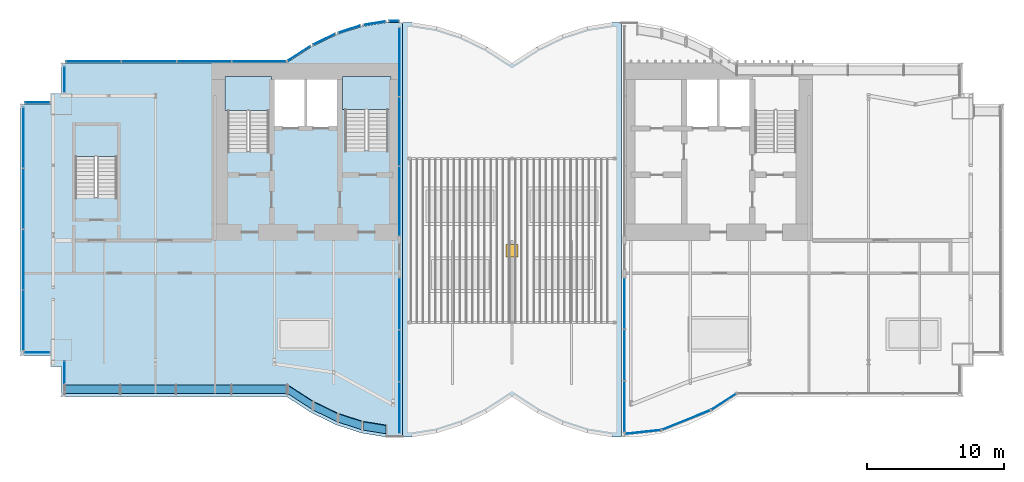
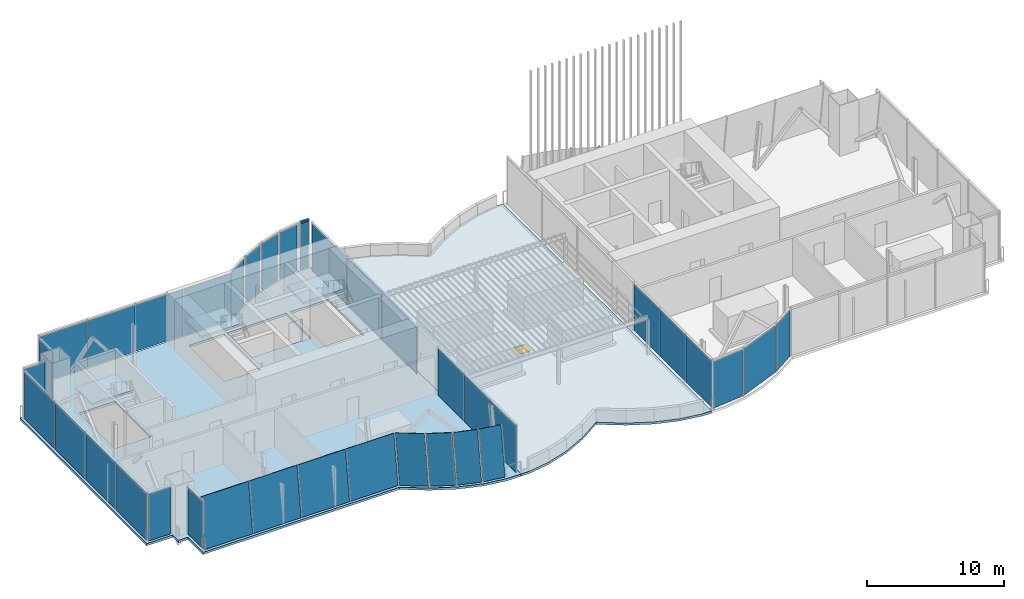
# One storey, part 10 of 18: 37 plates, 5 slabs, 1 member, 1 window, 1 opening, 23 elements without a shape of their own.
"""IFC4 building model written with IfcOpenShell, lengths in metres."""

from ifc_helpers import new_model, si_unit, direction, frame, origin, origin_2d, place, context, subcontext, project, spatial, polyline, rectangle, outline, extrude, material, layer, layer_set, material_profile, profile_set, type_object, element, fill, aggregate, save


model = new_model("IFC4")

# Units and contexts
model_context = context("Model", 3, precision=1e-05, world=origin(), true_north=direction((0.0, 1.0)))
body_context = subcontext(model_context, "Body", "Model", "MODEL_VIEW")
ifc_project = project(units=[si_unit("LENGTHUNIT", "METRE"), si_unit("AREAUNIT", "SQUARE_METRE"), si_unit("VOLUMEUNIT", "CUBIC_METRE"), si_unit("PLANEANGLEUNIT", "RADIAN"), si_unit("MASSUNIT", "GRAM", prefix="KILO")], contexts=[model_context])

# Site, building, storey
site_placement = place(None, origin())
site = spatial("IfcSite", under=ifc_project, at=site_placement, CompositionType="ELEMENT")
building_placement = place(site_placement, origin())
building = spatial("IfcBuilding", under=site, at=building_placement, Name="Bicima Exchange Tower", CompositionType="ELEMENT")
storey_placement = place(building_placement, frame((0.0, 0.0, 347.89990234375)))
storey = spatial("IfcBuildingStorey", under=building, at=storey_placement, Name="L78", CompositionType="ELEMENT", Elevation=347.89990234375)

# Curtain wall, member
ifc_material_1 = material(Name="Anodised bronze aluminium", Category="aluminium")
curtain_wall_type_1 = type_object("IfcCurtainWallType", Name="Crown glass wall", PredefinedType="NOTDEFINED", material=ifc_material_1)
curtain_wall_1_placement = place(storey_placement, origin())
curtain_wall_1 = element("IfcCurtainWall", 1, at=curtain_wall_1_placement, inside=storey, type_object=curtain_wall_type_1, Name="Crown glass wall L78 run 3", PredefinedType="NOTDEFINED")
ifc_material_profile = material_profile(ifc_material_1, rectangle(XDim=0.179931640625, YDim=0.159912109375, at=origin_2d()))
ifc_profile_set = profile_set([ifc_material_profile], Name="Anodised bronze aluminium")
member_type = type_object("IfcMemberType", Name="Crown glass wall transom 160 x 180", PredefinedType="USERDEFINED", material=ifc_profile_set)
member_placement = place(storey_placement, frame((-8.2900390625, 3.052978515625, 4.22021484375), z_axis=(-1.0, 0.0, 0.0), x_axis=(0.0, -1.0, 0.0)))
member = element("IfcMember", 2, at=member_placement, type_object=member_type, Name="Crown glass wall transom 1.1", ObjectType="TRANSOM", PredefinedType="USERDEFINED", context=body_context, shape_type="SweptSolid", body=[
    extrude(rectangle(XDim=0.179931640625, YDim=0.159912109375, at=origin_2d()), origin(), (0.0, 0.0, 1.0), 0.708251953125),
])

# Slab
ifc_material_2 = material(Name="Concrete C40/50", Category="concrete")
ifc_layer_1 = layer(ifc_material_2, 0.199951171875)
ifc_layer_set_1 = layer_set([ifc_layer_1], Name="Concrete C40/50")
slab_type_1 = type_object("IfcSlabType", Name="Composite floor slab 200", PredefinedType="FLOOR", material=ifc_layer_set_1)
slab_1_placement = place(storey_placement, frame((0.0, 0.0, -0.199951171875)))
element("IfcSlab", 3, at=slab_1_placement, inside=storey, type_object=slab_type_1, Name="Floor slab", PredefinedType="FLOOR", context=body_context, shape_type="SweptSolid", body=[
    extrude(outline(polyline([(-36.0, -21.431884765625), (-36.0, -3.0), (-33.800048828125, -3.0), (-33.800048828125, -2.199951171875), (-33.0, -2.199951171875), (-33.0, 0.0), (-16.5, 0.0), (-14.666748046875, 1.185302734375), (-12.833251953125, 2.07421875), (-11.0, 2.666748046875), (-9.166748046875, 2.962890625), (-8.0, 2.962890625), (-8.0, -27.39501953125), (-9.166748046875, -27.39501953125), (-11.0, -27.0986328125), (-12.833251953125, -26.506103515625), (-14.666748046875, -25.6171875), (-16.5, -24.431884765625), (-33.0, -24.431884765625), (-33.0, -22.23193359375), (-33.800048828125, -22.23193359375), (-33.800048828125, -21.431884765625), (-36.0, -21.431884765625)]), holes=[polyline([(-28.925048828125, -4.625), (-31.97509765625, -4.625), (-31.97509765625, -9.824951171875), (-28.925048828125, -9.824951171875), (-28.925048828125, -4.625)]), polyline([(-17.800048828125, -1.199951171875), (-20.800048828125, -1.199951171875), (-20.800048828125, -6.449951171875), (-17.800048828125, -6.449951171875), (-17.800048828125, -1.199951171875)]), polyline([(-9.074951171875, -1.199951171875), (-12.22509765625, -1.199951171875), (-12.22509765625, -6.39990234375), (-9.074951171875, -6.39990234375), (-9.074951171875, -1.199951171875)]), polyline([(-12.60009765625, -1.199951171875), (-15.10009765625, -1.199951171875), (-17.60009765625, -1.199951171875), (-17.60009765625, -4.800048828125), (-15.10009765625, -4.800048828125), (-12.60009765625, -4.800048828125), (-12.60009765625, -1.199951171875)])]), origin(), (0.0, 0.0, 1.0), 0.199951171875),
])

# Plate
ifc_material_3 = material(Name="Bronze tinted glass", Category="glass")
ifc_layer_2 = layer(ifc_material_3, 0.035888671875)
ifc_layer_set_2 = layer_set([ifc_layer_2], Name="Bronze tinted glass")
plate_type_1 = type_object("IfcPlateType", Name="Crown glass wall glass panel 36", PredefinedType="CURTAIN_PANEL", material=ifc_layer_set_2)
plate_1_placement = place(storey_placement, frame((-8.64404296875, 3.052978515625, 0.0), z_axis=(0.0, 0.0, 1.0), x_axis=(-1.0, 0.0, 0.0)))
plate_1 = element("IfcPlate", 4, at=plate_1_placement, type_object=plate_type_1, Name="Crown glass wall panel 1.1", PredefinedType="CURTAIN_PANEL", context=body_context, shape_type="SweptSolid", body=[
    extrude(rectangle(XDim=0.708251953125, YDim=0.035888671875, at=origin_2d()), origin(), (0.0, 0.0, 1.0), 4.139892578125),
])

aggregate(curtain_wall_1, [member, plate_1])

# Curtain wall, plate
curtain_wall_2_placement = place(storey_placement, origin())
curtain_wall_2 = element("IfcCurtainWall", 5, at=curtain_wall_2_placement, inside=storey, type_object=curtain_wall_type_1, Name="Crown glass wall L78 run 4", PredefinedType="NOTDEFINED")
plate_2_placement = place(storey_placement, frame((-10.0537109375, 2.910888671875, 0.0), z_axis=(0.0, 0.0, 1.0), x_axis=(-0.987189786347, -0.159550386184, 0.0)))
plate_2 = element("IfcPlate", 6, at=plate_2_placement, type_object=plate_type_1, Name="Crown glass wall panel 1.1", PredefinedType="CURTAIN_PANEL", context=body_context, shape_type="SweptSolid", body=[
    extrude(rectangle(XDim=1.611083984375, YDim=0.035888671875, at=origin_2d()), origin(), (0.0, 0.0, 1.0), 4.139892578125),
])
aggregate(curtain_wall_2, [plate_2])

curtain_wall_3_placement = place(storey_placement, origin())
curtain_wall_3 = element("IfcCurtainWall", 7, at=curtain_wall_3_placement, inside=storey, type_object=curtain_wall_type_1, Name="Crown glass wall L78 run 5", PredefinedType="NOTDEFINED")
plate_3_placement = place(storey_placement, frame((-11.90234375, 2.469482421875, 0.0), z_axis=(0.0, 0.0, 1.0), x_axis=(-0.951524642381, -0.307572519808, 0.0)))
plate_3 = element("IfcPlate", 8, at=plate_3_placement, type_object=plate_type_1, Name="Crown glass wall panel 1.1", PredefinedType="CURTAIN_PANEL", context=body_context, shape_type="SweptSolid", body=[
    extrude(rectangle(XDim=1.68310546875, YDim=0.035888671875, at=origin_2d()), origin(), (0.0, 0.0, 1.0), 4.139892578125),
])
aggregate(curtain_wall_3, [plate_3])

curtain_wall_4_placement = place(storey_placement, origin())
curtain_wall_4 = element("IfcCurtainWall", 9, at=curtain_wall_4_placement, inside=storey, type_object=curtain_wall_type_1, Name="Crown glass wall L78 run 6", PredefinedType="NOTDEFINED")
plate_4_placement = place(storey_placement, frame((-13.74951171875, 1.72998046875, 0.0), z_axis=(0.0, 0.0, 1.0), x_axis=(-0.899818346812, -0.436264762204, 0.0)))
plate_4 = element("IfcPlate", 10, at=plate_4_placement, type_object=plate_type_1, Name="Crown glass wall panel 1.1", PredefinedType="CURTAIN_PANEL", context=body_context, shape_type="SweptSolid", body=[
    extrude(rectangle(XDim=1.79736328125, YDim=0.035888671875, at=origin_2d()), origin(), (0.0, 0.0, 1.0), 4.139892578125),
])
aggregate(curtain_wall_4, [plate_4])

curtain_wall_5_placement = place(storey_placement, origin())
curtain_wall_5 = element("IfcCurtainWall", 11, at=curtain_wall_5_placement, inside=storey, type_object=curtain_wall_type_1, Name="Crown glass wall L78 run 7", PredefinedType="NOTDEFINED")
plate_5_placement = place(storey_placement, frame((-15.62890625, 0.67041015625, 0.0), z_axis=(0.0, 0.0, 1.0), x_axis=(-0.839790466384, -0.542910648791, 0.0)))
plate_5 = element("IfcPlate", 12, at=plate_5_placement, type_object=plate_type_1, Name="Crown glass wall panel 1.1", PredefinedType="CURTAIN_PANEL", context=body_context, shape_type="SweptSolid", body=[
    extrude(rectangle(XDim=2.02685546875, YDim=0.035888671875, at=origin_2d()), origin(), (0.0, 0.0, 1.0), 4.139892578125),
])
aggregate(curtain_wall_5, [plate_5])

# Curtain wall, plates
curtain_wall_6_placement = place(storey_placement, origin())
curtain_wall_6 = element("IfcCurtainWall", 13, at=curtain_wall_6_placement, inside=storey, type_object=curtain_wall_type_1, Name="Crown glass wall L78 run 8", PredefinedType="NOTDEFINED")
plate_6_placement = place(storey_placement, frame((-18.485595703125, 0.090087890625, 0.0), z_axis=(0.0, 0.0, 1.0), x_axis=(-1.0, 0.0, 0.0)))
plate_6 = element("IfcPlate", 14, at=plate_6_placement, type_object=plate_type_1, Name="Crown glass wall panel 1.1", PredefinedType="CURTAIN_PANEL", context=body_context, shape_type="SweptSolid", body=[
    extrude(rectangle(XDim=3.987060546875, YDim=0.035888671875, at=origin_2d()), origin(), (0.0, 0.0, 1.0), 4.139892578125),
])
plate_7_placement = place(storey_placement, frame((-22.53271484375, 0.090087890625, 0.0), z_axis=(0.0, 0.0, 1.0), x_axis=(-1.0, 0.0, 0.0)))
plate_7 = element("IfcPlate", 15, at=plate_7_placement, type_object=plate_type_1, Name="Crown glass wall panel 2.1", PredefinedType="CURTAIN_PANEL", context=body_context, shape_type="SweptSolid", body=[
    extrude(rectangle(XDim=3.987060546875, YDim=0.035888671875, at=origin_2d()), origin(), (0.0, 0.0, 1.0), 4.139892578125),
])
plate_8_placement = place(storey_placement, frame((-26.57958984375, 0.090087890625, 0.0), z_axis=(0.0, 0.0, 1.0), x_axis=(-1.0, 0.0, 0.0)))
plate_8 = element("IfcPlate", 16, at=plate_8_placement, type_object=plate_type_1, Name="Crown glass wall panel 3.1", PredefinedType="CURTAIN_PANEL", context=body_context, shape_type="SweptSolid", body=[
    extrude(rectangle(XDim=3.987060546875, YDim=0.035888671875, at=origin_2d()), origin(), (0.0, 0.0, 1.0), 4.139892578125),
])
plate_9_placement = place(storey_placement, frame((-30.62646484375, 0.090087890625, 0.0), z_axis=(0.0, 0.0, 1.0), x_axis=(-1.0, 0.0, 0.0)))
plate_9 = element("IfcPlate", 17, at=plate_9_placement, type_object=plate_type_1, Name="Crown glass wall panel 4.1", PredefinedType="CURTAIN_PANEL", context=body_context, shape_type="SweptSolid", body=[
    extrude(rectangle(XDim=3.987060546875, YDim=0.035888671875, at=origin_2d()), origin(), (0.0, 0.0, 1.0), 4.139892578125),
])
aggregate(curtain_wall_6, [plate_6, plate_7, plate_8, plate_9])

# Curtain wall, plate
curtain_wall_7_placement = place(storey_placement, origin())
curtain_wall_7 = element("IfcCurtainWall", 18, at=curtain_wall_7_placement, inside=storey, type_object=curtain_wall_type_1, Name="Crown glass wall L78 run 9", PredefinedType="NOTDEFINED")
plate_10_placement = place(storey_placement, frame((-32.77001953125, -1.215087890625, 0.0), z_axis=(0.0, 0.0, 1.0), x_axis=(0.0, -1.0, 0.0)))
plate_10 = element("IfcPlate", 19, at=plate_10_placement, type_object=plate_type_1, Name="Crown glass wall panel 1.1", PredefinedType="CURTAIN_PANEL", context=body_context, shape_type="SweptSolid", body=[
    extrude(rectangle(XDim=1.85009765625, YDim=0.035888671875, at=origin_2d()), origin(), (0.0, 0.0, 1.0), 4.139892578125),
])
aggregate(curtain_wall_7, [plate_10])

curtain_wall_8_placement = place(storey_placement, origin())
curtain_wall_8 = element("IfcCurtainWall", 20, at=curtain_wall_8_placement, inside=storey, type_object=curtain_wall_type_1, Name="Crown glass wall L78 run 10", PredefinedType="NOTDEFINED")
plate_11_placement = place(storey_placement, frame((-34.739990234375, -2.909912109375, 0.0), z_axis=(0.0, 0.0, 1.0), x_axis=(-1.0, 0.0, 0.0)))
plate_11 = element("IfcPlate", 21, at=plate_11_placement, type_object=plate_type_1, Name="Crown glass wall panel 1.1", PredefinedType="CURTAIN_PANEL", context=body_context, shape_type="SweptSolid", body=[
    extrude(rectangle(XDim=1.760009765625, YDim=0.035888671875, at=origin_2d()), origin(), (0.0, 0.0, 1.0), 4.139892578125),
])
aggregate(curtain_wall_8, [plate_11])

# Curtain wall, plates
curtain_wall_9_placement = place(storey_placement, origin())
curtain_wall_9 = element("IfcCurtainWall", 22, at=curtain_wall_9_placement, inside=storey, type_object=curtain_wall_type_1, Name="Crown glass wall L78 run 11", PredefinedType="NOTDEFINED")
plate_12_placement = place(storey_placement, frame((-35.77001953125, -5.48779296875, 0.0), z_axis=(0.0, 0.0, 1.0), x_axis=(0.0, -1.0, 0.0)))
plate_12 = element("IfcPlate", 23, at=plate_12_placement, type_object=plate_type_1, Name="Crown glass wall panel 1.1", PredefinedType="CURTAIN_PANEL", context=body_context, shape_type="SweptSolid", body=[
    extrude(rectangle(XDim=4.3955078125, YDim=0.035888671875, at=origin_2d()), origin(), (0.0, 0.0, 1.0), 4.139892578125),
])
plate_13_placement = place(storey_placement, frame((-35.77001953125, -9.943359375, 0.0), z_axis=(0.0, 0.0, 1.0), x_axis=(0.0, -1.0, 0.0)))
plate_13 = element("IfcPlate", 24, at=plate_13_placement, type_object=plate_type_1, Name="Crown glass wall panel 2.1", PredefinedType="CURTAIN_PANEL", context=body_context, shape_type="SweptSolid", body=[
    extrude(rectangle(XDim=4.3955078125, YDim=0.035888671875, at=origin_2d()), origin(), (0.0, 0.0, 1.0), 4.139892578125),
])
plate_14_placement = place(storey_placement, frame((-35.77001953125, -14.398681640625, 0.0), z_axis=(0.0, 0.0, 1.0), x_axis=(0.0, -1.0, 0.0)))
plate_14 = element("IfcPlate", 25, at=plate_14_placement, type_object=plate_type_1, Name="Crown glass wall panel 3.1", PredefinedType="CURTAIN_PANEL", context=body_context, shape_type="SweptSolid", body=[
    extrude(rectangle(XDim=4.3955078125, YDim=0.035888671875, at=origin_2d()), origin(), (0.0, 0.0, 1.0), 4.139892578125),
])
plate_15_placement = place(storey_placement, frame((-35.77001953125, -18.854248046875, 0.0), z_axis=(0.0, 0.0, 1.0), x_axis=(0.0, -1.0, 0.0)))
plate_15 = element("IfcPlate", 26, at=plate_15_placement, type_object=plate_type_1, Name="Crown glass wall panel 4.1", PredefinedType="CURTAIN_PANEL", context=body_context, shape_type="SweptSolid", body=[
    extrude(rectangle(XDim=4.3955078125, YDim=0.035888671875, at=origin_2d()), origin(), (0.0, 0.0, 1.0), 4.139892578125),
])
aggregate(curtain_wall_9, [plate_12, plate_13, plate_14, plate_15])

# Curtain wall, plate
curtain_wall_10_placement = place(storey_placement, origin())
curtain_wall_10 = element("IfcCurtainWall", 27, at=curtain_wall_10_placement, inside=storey, type_object=curtain_wall_type_1, Name="Crown glass wall L78 run 12", PredefinedType="NOTDEFINED")
plate_16_placement = place(storey_placement, frame((-34.784912109375, -21.201904296875, 0.0), z_axis=(0.0, 0.0, 1.0), x_axis=(1.0, 0.0, 0.0)))
plate_16 = element("IfcPlate", 28, at=plate_16_placement, type_object=plate_type_1, Name="Crown glass wall panel 1.1", PredefinedType="CURTAIN_PANEL", context=body_context, shape_type="SweptSolid", body=[
    extrude(rectangle(XDim=1.85009765625, YDim=0.035888671875, at=origin_2d()), origin(), (0.0, 0.0, 1.0), 4.139892578125),
])
aggregate(curtain_wall_10, [plate_16])

curtain_wall_11_placement = place(storey_placement, origin())
curtain_wall_11 = element("IfcCurtainWall", 29, at=curtain_wall_11_placement, inside=storey, type_object=curtain_wall_type_1, Name="Crown glass wall L78 run 13", PredefinedType="NOTDEFINED")
plate_17_placement = place(storey_placement, frame((-32.77001953125, -22.952880859375, 0.0), z_axis=(0.0, 0.0, 1.0), x_axis=(0.0, -1.0, 0.0)))
plate_17 = element("IfcPlate", 30, at=plate_17_placement, type_object=plate_type_1, Name="Crown glass wall panel 1.1", PredefinedType="CURTAIN_PANEL", context=body_context, shape_type="SweptSolid", body=[
    extrude(rectangle(XDim=2.1982421875, YDim=0.035888671875, at=origin_2d()), origin(), (0.0, 0.0, 1.0), 4.139892578125),
])
aggregate(curtain_wall_11, [plate_17])

# Curtain wall, plates
curtain_wall_12_placement = place(storey_placement, origin())
curtain_wall_12 = element("IfcCurtainWall", 31, at=curtain_wall_12_placement, inside=storey, type_object=curtain_wall_type_1, Name="Crown tilted glass L78 14.1", PredefinedType="NOTDEFINED")
plate_18_placement = place(storey_placement, frame((-32.7099609375, -24.201904296875, 0.0), z_axis=(0.0, -0.99027074745, 0.139154039626), x_axis=(1.0, 0.0, 0.0)))
plate_18 = element("IfcPlate", 32, at=plate_18_placement, type_object=plate_type_1, Name="Crown tilted glass panel 1", PredefinedType="CURTAIN_PANEL", context=body_context, shape_type="SweptSolid", body=[
    extrude(outline(polyline([(0.0, 0.0), (4.009521484375, 0.0), (4.009521484375, 4.342296123758884), (0.0, 4.342296123758884), (0.0, 0.0)])), origin(), (0.0, 0.0, -1.0), 0.035888671875),
])
plate_19_placement = place(storey_placement, frame((-28.640380859375, -24.201904296875, 0.0), z_axis=(0.0, -0.99027074745, 0.139154039626), x_axis=(1.0, 0.0, 0.0)))
plate_19 = element("IfcPlate", 33, at=plate_19_placement, type_object=plate_type_1, Name="Crown tilted glass panel 2", PredefinedType="CURTAIN_PANEL", context=body_context, shape_type="SweptSolid", body=[
    extrude(outline(polyline([(0.0, 0.0), (4.00927734375, 0.0), (4.00927734375, 4.342296123758885), (0.0, 4.342296123758885), (0.0, 0.0)])), origin(), (0.0, 0.0, -1.0), 0.035888671875),
])
plate_20_placement = place(storey_placement, frame((-24.571044921875, -24.201904296875, 0.0), z_axis=(0.0, -0.99027074745, 0.139154039626), x_axis=(1.0, 0.0, 0.0)))
plate_20 = element("IfcPlate", 34, at=plate_20_placement, type_object=plate_type_1, Name="Crown tilted glass panel 3", PredefinedType="CURTAIN_PANEL", context=body_context, shape_type="SweptSolid", body=[
    extrude(outline(polyline([(0.0, 0.0), (4.009521484375, 0.0), (4.009521484375, 4.342296123758884), (0.0, 4.342296123758884), (0.0, 0.0)])), origin(), (0.0, 0.0, -1.0), 0.035888671875),
])
plate_21_placement = place(storey_placement, frame((-20.501708984375, -24.201904296875, 0.0), z_axis=(0.0, -0.99027074745, 0.139154039626), x_axis=(1.0, 0.0, 0.0)))
plate_21 = element("IfcPlate", 35, at=plate_21_placement, type_object=plate_type_1, Name="Crown tilted glass panel 4", PredefinedType="CURTAIN_PANEL", context=body_context, shape_type="SweptSolid", body=[
    extrude(outline(polyline([(0.0, 0.0), (4.009521484375, 0.0), (4.009521484375, 4.342296123758884), (0.0, 4.342296123758884), (0.0, 0.0)])), origin(), (0.0, 0.0, -1.0), 0.035888671875),
])
aggregate(curtain_wall_12, [plate_18, plate_19, plate_20, plate_21])

# Curtain wall, plate
curtain_wall_13_placement = place(storey_placement, origin())
curtain_wall_13 = element("IfcCurtainWall", 36, at=curtain_wall_13_placement, inside=storey, type_object=curtain_wall_type_1, Name="Crown tilted glass L78 15.1", PredefinedType="NOTDEFINED")
plate_22_placement = place(storey_placement, frame((-16.381591796875, -24.234619140625, 0.0), z_axis=(-0.539204779654, -0.833977695307, 0.117215226522), x_axis=(0.839766957866, -0.542947010716, 5.63754e-06)))
plate_22 = element("IfcPlate", 37, at=plate_22_placement, type_object=plate_type_1, Name="Crown tilted glass panel 1", PredefinedType="CURTAIN_PANEL", context=body_context, shape_type="SweptSolid", body=[
    extrude(outline(polyline([(0.0, 0.0), (2.1166979491355855, 0.0), (1.7886475200509826, 4.3298866650323315), (-0.32818298450714084, 4.329910697384378), (0.0, 0.0)])), origin(), (0.0, 0.0, -1.0), 0.035888671875),
])
aggregate(curtain_wall_13, [plate_22])

curtain_wall_14_placement = place(storey_placement, origin())
curtain_wall_14 = element("IfcCurtainWall", 38, at=curtain_wall_14_placement, inside=storey, type_object=curtain_wall_type_1, Name="Crown tilted glass L78 16.1", PredefinedType="NOTDEFINED")
plate_23_placement = place(storey_placement, frame((-14.499755859375, -25.442626953125, 0.0), z_axis=(-0.432815011374, -0.892705020495, 0.125494670456), x_axis=(0.899818722999, -0.436263986298, 0.0)))
plate_23 = element("IfcPlate", 39, at=plate_23_placement, type_object=plate_type_1, Name="Crown tilted glass panel 1", PredefinedType="CURTAIN_PANEL", context=body_context, shape_type="SweptSolid", body=[
    extrude(outline(polyline([(0.0, 0.0), (1.8875872269742502, 0.0), (1.623869055569494, 4.334314646524714), (-0.2637181714047563, 4.334314646524714), (0.0, 0.0)])), origin(), (0.0, 0.0, -1.0), 0.035888671875),
])
aggregate(curtain_wall_14, [plate_23])

curtain_wall_15_placement = place(storey_placement, origin())
curtain_wall_15 = element("IfcCurtainWall", 40, at=curtain_wall_15_placement, inside=storey, type_object=curtain_wall_type_1, Name="Crown tilted glass L78 17.1", PredefinedType="NOTDEFINED")
plate_24_placement = place(storey_placement, frame((-12.690185546875, -26.310546875, 0.0), z_axis=(-0.304908856008, -0.943115575208, 0.132527737957), x_axis=(0.951508549588, -0.307622300981, 0.0)))
plate_24 = element("IfcPlate", 41, at=plate_24_placement, type_object=plate_type_1, Name="Crown tilted glass panel 1", PredefinedType="CURTAIN_PANEL", context=body_context, shape_type="SweptSolid", body=[
    extrude(outline(polyline([(0.0, 0.0), (1.772986400889888, 0.0), (1.5871062263468465, 4.33831582381035), (-0.18588017454304137, 4.33831582381035), (0.0, 0.0)])), origin(), (0.0, 0.0, -1.0), 0.035888671875),
])
aggregate(curtain_wall_15, [plate_24])

curtain_wall_16_placement = place(storey_placement, origin())
curtain_wall_16 = element("IfcCurtainWall", 42, at=curtain_wall_16_placement, inside=storey, type_object=curtain_wall_type_1, Name="Crown tilted glass L78 18.1", PredefinedType="NOTDEFINED")
plate_25_placement = place(storey_placement, frame((-10.88671875, -26.884033203125, 0.0), z_axis=(-0.158018725341, -0.977825274758, 0.137432945419), x_axis=(0.987192460571, -0.159533838728, -9.643993e-06)))
plate_25 = element("IfcPlate", 43, at=plate_25_placement, type_object=plate_type_1, Name="Crown tilted glass panel 1", PredefinedType="CURTAIN_PANEL", context=body_context, shape_type="SweptSolid", body=[
    extrude(outline(polyline([(0.0, 0.0), (1.7010037530446902, 0.0), (1.6045253242496664, 4.341258184851177), (-0.09643948010392796, 4.341225061988965), (0.0, 0.0)])), origin(), (0.0, 0.0, -1.0), 0.035888671875),
])
aggregate(curtain_wall_16, [plate_25])

# Curtain wall, plates
curtain_wall_17_placement = place(storey_placement, origin())
curtain_wall_17 = element("IfcCurtainWall", 44, at=curtain_wall_17_placement, inside=storey, type_object=curtain_wall_type_1, Name="Crown glass wall L78 run 9", PredefinedType="NOTDEFINED")
plate_26_placement = place(storey_placement, frame((9.587890625, -27.019775390625, 0.0), z_axis=(0.0, 0.0, 1.0), x_axis=(0.994326439433, 0.106371668434, 0.0)))
plate_26 = element("IfcPlate", 45, at=plate_26_placement, type_object=plate_type_1, Name="Crown glass wall panel 1.1", PredefinedType="CURTAIN_PANEL", context=body_context, shape_type="SweptSolid", body=[
    extrude(rectangle(XDim=2.611572265625, YDim=0.035888671875, at=origin_2d()), origin(), (0.0, 0.0, 1.0), 4.139892578125),
])
plate_27_placement = place(storey_placement, frame((12.749755859375, -26.1455078125, 0.0), z_axis=(0.0, 0.0, 1.0), x_axis=(0.92714396679, 0.374705304, 0.0)))
plate_27 = element("IfcPlate", 46, at=plate_27_placement, type_object=plate_type_1, Name="Crown glass wall panel 1.1", PredefinedType="CURTAIN_PANEL", context=body_context, shape_type="SweptSolid", body=[
    extrude(rectangle(XDim=3.771240234375, YDim=0.035888671875, at=origin_2d()), origin(), (0.0, 0.0, 1.0), 4.139892578125),
])
plate_28_placement = place(storey_placement, frame((15.492919921875, -24.80908203125, 0.0), z_axis=(0.0, 0.0, 1.0), x_axis=(0.839790466384, 0.542910648791, 0.0)))
plate_28 = element("IfcPlate", 47, at=plate_28_placement, type_object=plate_type_1, Name="Crown glass wall panel 1.1", PredefinedType="CURTAIN_PANEL", context=body_context, shape_type="SweptSolid", body=[
    extrude(rectangle(XDim=2.11669921875, YDim=0.035888671875, at=origin_2d()), origin(), (0.0, 0.0, 1.0), 4.139892578125),
])
aggregate(curtain_wall_17, [plate_26, plate_27, plate_28])

curtain_wall_type_2 = type_object("IfcCurtainWallType", Name="End face glass wall", PredefinedType="NOTDEFINED", material=ifc_material_1)
curtain_wall_18_placement = place(storey_placement, origin())
curtain_wall_18 = element("IfcCurtainWall", 48, at=curtain_wall_18_placement, inside=storey, type_object=curtain_wall_type_2, Name="End face glass wall L78 run 1.1", PredefinedType="NOTDEFINED")
ifc_layer_3 = layer(ifc_material_3, 0.031982421875)
ifc_layer_set_3 = layer_set([ifc_layer_3], Name="Bronze tinted glass")
plate_type_2 = type_object("IfcPlateType", Name="End face glass wall glass panel 32", PredefinedType="CURTAIN_PANEL", material=ifc_layer_set_3)
plate_29_placement = place(storey_placement, frame((-8.22998046875, -25.234130859375, 0.0), z_axis=(0.0, 0.0, 1.0), x_axis=(0.0, 1.0, 0.0)))
plate_29 = element("IfcPlate", 49, at=plate_29_placement, type_object=plate_type_2, Name="End face glass wall panel 1.1", PredefinedType="CURTAIN_PANEL", context=body_context, shape_type="SweptSolid", body=[
    extrude(rectangle(XDim=3.74169921875, YDim=0.031982421875, at=origin_2d()), origin(), (0.0, 0.0, 1.0), 4.159912109375),
])
plate_30_placement = place(storey_placement, frame((-8.22998046875, -21.4326171875, 0.0), z_axis=(0.0, 0.0, 1.0), x_axis=(0.0, 1.0, 0.0)))
plate_30 = element("IfcPlate", 50, at=plate_30_placement, type_object=plate_type_2, Name="End face glass wall panel 2.1", PredefinedType="CURTAIN_PANEL", context=body_context, shape_type="SweptSolid", body=[
    extrude(rectangle(XDim=3.74169921875, YDim=0.031982421875, at=origin_2d()), origin(), (0.0, 0.0, 1.0), 4.159912109375),
])
plate_31_placement = place(storey_placement, frame((-8.22998046875, -17.630859375, 0.0), z_axis=(0.0, 0.0, 1.0), x_axis=(0.0, 1.0, 0.0)))
plate_31 = element("IfcPlate", 51, at=plate_31_placement, type_object=plate_type_2, Name="End face glass wall panel 3.1", PredefinedType="CURTAIN_PANEL", context=body_context, shape_type="SweptSolid", body=[
    extrude(rectangle(XDim=3.74169921875, YDim=0.031982421875, at=origin_2d()), origin(), (0.0, 0.0, 1.0), 4.159912109375),
])
aggregate(curtain_wall_18, [plate_29, plate_30, plate_31])

curtain_wall_19_placement = place(storey_placement, origin())
curtain_wall_19 = element("IfcCurtainWall", 52, at=curtain_wall_19_placement, inside=storey, type_object=curtain_wall_type_2, Name="End face glass wall L78 run 1.2", PredefinedType="NOTDEFINED")
plate_32_placement = place(storey_placement, frame((-8.22998046875, -10.122802734375, 0.0), z_axis=(0.0, 0.0, 1.0), x_axis=(0.0, 1.0, 0.0)))
plate_32 = element("IfcPlate", 53, at=plate_32_placement, type_object=plate_type_2, Name="End face glass wall panel 1.1", PredefinedType="CURTAIN_PANEL", context=body_context, shape_type="SweptSolid", body=[
    extrude(rectangle(XDim=5.0341796875, YDim=0.031982421875, at=origin_2d()), origin(), (0.0, 0.0, 1.0), 4.159912109375),
])
plate_33_placement = place(storey_placement, frame((-8.22998046875, -5.028564453125, 0.0), z_axis=(0.0, 0.0, 1.0), x_axis=(0.0, 1.0, 0.0)))
plate_33 = element("IfcPlate", 54, at=plate_33_placement, type_object=plate_type_2, Name="End face glass wall panel 2.1", PredefinedType="CURTAIN_PANEL", context=body_context, shape_type="SweptSolid", body=[
    extrude(rectangle(XDim=5.0341796875, YDim=0.031982421875, at=origin_2d()), origin(), (0.0, 0.0, 1.0), 4.159912109375),
])
plate_34_placement = place(storey_placement, frame((-8.22998046875, 0.06591796875, 0.0), z_axis=(0.0, 0.0, 1.0), x_axis=(0.0, 1.0, 0.0)))
plate_34 = element("IfcPlate", 55, at=plate_34_placement, type_object=plate_type_2, Name="End face glass wall panel 3.1", PredefinedType="CURTAIN_PANEL", context=body_context, shape_type="SweptSolid", body=[
    extrude(rectangle(XDim=5.0341796875, YDim=0.031982421875, at=origin_2d()), origin(), (0.0, 0.0, 1.0), 4.159912109375),
])
aggregate(curtain_wall_19, [plate_32, plate_33, plate_34])

curtain_wall_20_placement = place(storey_placement, origin())
curtain_wall_20 = element("IfcCurtainWall", 56, at=curtain_wall_20_placement, inside=storey, type_object=curtain_wall_type_2, Name="End face glass wall L78 run 2.2", PredefinedType="NOTDEFINED")
plate_35_placement = place(storey_placement, frame((8.22998046875, -17.61572265625, 0.0), z_axis=(0.0, 0.0, 1.0), x_axis=(0.0, -1.0, 0.0)))
plate_35 = element("IfcPlate", 57, at=plate_35_placement, type_object=plate_type_2, Name="End face glass wall panel 1.1", PredefinedType="CURTAIN_PANEL", context=body_context, shape_type="SweptSolid", body=[
    extrude(rectangle(XDim=3.711669921875, YDim=0.031982421875, at=origin_2d()), origin(), (0.0, 0.0, 1.0), 4.159912109375),
])
plate_36_placement = place(storey_placement, frame((8.22998046875, -21.387451171875, 0.0), z_axis=(0.0, 0.0, 1.0), x_axis=(0.0, -1.0, 0.0)))
plate_36 = element("IfcPlate", 58, at=plate_36_placement, type_object=plate_type_2, Name="End face glass wall panel 2.1", PredefinedType="CURTAIN_PANEL", context=body_context, shape_type="SweptSolid", body=[
    extrude(rectangle(XDim=3.711669921875, YDim=0.031982421875, at=origin_2d()), origin(), (0.0, 0.0, 1.0), 4.159912109375),
])
plate_37_placement = place(storey_placement, frame((8.22998046875, -25.1591796875, 0.0), z_axis=(0.0, 0.0, 1.0), x_axis=(0.0, -1.0, 0.0)))
plate_37 = element("IfcPlate", 59, at=plate_37_placement, type_object=plate_type_2, Name="End face glass wall panel 3.1", PredefinedType="CURTAIN_PANEL", context=body_context, shape_type="SweptSolid", body=[
    extrude(rectangle(XDim=3.711669921875, YDim=0.031982421875, at=origin_2d()), origin(), (0.0, 0.0, 1.0), 4.159912109375),
])
aggregate(curtain_wall_20, [plate_35, plate_36, plate_37])

# Slab, opening, window
ifc_layer_4 = layer(ifc_material_2, 0.199951171875)
ifc_layer_set_4 = layer_set([ifc_layer_4], Name="Concrete C40/50")
slab_type_2 = type_object("IfcSlabType", Name="Slot deck slab 200", PredefinedType="ROOF", material=ifc_layer_set_4)
slab_2_placement = place(storey_placement, frame((0.0, 0.0, -0.199951171875)))
slab_2 = element("IfcSlab", 60, at=slab_2_placement, inside=storey, type_object=slab_type_2, Name="Slot roof slab", PredefinedType="ROOF", context=body_context, shape_type="SweptSolid", body=[
    extrude(outline(polyline([(7.333251953125, -27.39501953125), (8.0, -27.39501953125), (8.0, 2.962890625), (7.333251953125, 2.962890625), (5.5, 2.666748046875), (3.666748046875, 2.07421875), (1.833251953125, 1.185302734375), (0.0, 0.0), (-1.833251953125, 1.185302734375), (-3.666748046875, 2.07421875), (-5.5, 2.666748046875), (-7.333251953125, 2.962890625), (-8.0, 2.962890625), (-8.0, -27.39501953125), (-7.333251953125, -27.39501953125), (-5.5, -27.0986328125), (-3.666748046875, -26.506103515625), (-1.833251953125, -25.6171875), (0.0, -24.431884765625), (1.833251953125, -25.6171875), (3.666748046875, -26.506103515625), (5.5, -27.0986328125), (7.333251953125, -27.39501953125)])), origin(), (0.0, 0.0, 1.0), 0.199951171875),
])
opening_placement = place(slab_2_placement, frame((0.0, -13.75, 0.0)))
opening = element("IfcOpeningElement", 61, at=opening_placement, cuts=slab_2, Name="Opening RH1", PredefinedType="OPENING", context=body_context, shape_type="SweptSolid", body=[
    extrude(rectangle(XDim=0.89990234375, YDim=0.89990234375, at=origin_2d()), origin(), (0.0, 0.0, 1.0), 0.199951171875),
])
ifc_material_4 = material(Name="Aluminium and glass", Category="aluminium")
window_type = type_object("IfcWindowType", Name="Roof access hatch 900 x 900", PartitioningType="SINGLE_PANEL", PredefinedType="SKYLIGHT", material=ifc_material_4)
window_placement = place(opening_placement, frame((0.0, 0.0, 0.14990234375)))
window = element("IfcWindow", 62, at=window_placement, inside=storey, type_object=window_type, Name="Roof access hatch", OverallHeight=0.89990234375, OverallWidth=0.89990234375, PartitioningType="SINGLE_PANEL", PredefinedType="SKYLIGHT", context=body_context, shape_type="SweptSolid", body=[
    extrude(rectangle(XDim=0.89990234375, YDim=0.89990234375, at=origin_2d()), origin(), (0.0, 0.0, 1.0), 0.050048828125),
])
fill(opening, window)

# Stair, slab
ifc_material_5 = material(Name="Concrete C50/60", Category="concrete")
stair_type_1 = type_object("IfcStairType", Name="Exit stair", PredefinedType="HALF_TURN_STAIR", material=ifc_material_5)
stair_1_placement = place(storey_placement, origin())
stair_1 = element("IfcStair", 63, at=stair_1_placement, inside=storey, type_object=stair_type_1, Name="L78 West exit stair", PredefinedType="HALF_TURN_STAIR")
ifc_layer_5 = layer(ifc_material_5, 0.199951171875)
ifc_layer_set_5 = layer_set([ifc_layer_5], Name="Concrete C50/60")
slab_type_3 = type_object("IfcSlabType", Name="Stair landing slab", PredefinedType="LANDING", material=ifc_layer_set_5)
slab_3_placement = place(storey_placement, frame((0.0, 0.0, 2.050048828125)))
slab_3 = element("IfcSlab", 64, at=slab_3_placement, type_object=slab_type_3, Name="ST-W landing 1", PredefinedType="LANDING", context=body_context, shape_type="SweptSolid", body=[
    extrude(outline(polyline([(-17.60009765625, -3.469970703125), (-17.60009765625, -1.0), (-21.0, -1.0), (-21.0, -3.469970703125), (-17.60009765625, -3.469970703125)])), origin(), (0.0, 0.0, 1.0), 0.199951171875),
])
aggregate(stair_1, [slab_3])

stair_type_2 = type_object("IfcStairType", Name="Exit stair 1500", PredefinedType="HALF_TURN_STAIR", material=ifc_material_5)
stair_2_placement = place(storey_placement, origin())
stair_2 = element("IfcStair", 65, at=stair_2_placement, inside=storey, type_object=stair_type_2, Name="L78 Crown exit stair", PredefinedType="HALF_TURN_STAIR")
slab_4_placement = place(storey_placement, frame((0.0, 0.0, 2.050048828125)))
slab_4 = element("IfcSlab", 66, at=slab_4_placement, type_object=slab_type_3, Name="ST-CR landing 1", PredefinedType="LANDING", context=body_context, shape_type="SweptSolid", body=[
    extrude(outline(polyline([(-8.875, -3.419921875), (-8.875, -1.0), (-12.425048828125, -1.0), (-12.425048828125, -3.419921875), (-8.875, -3.419921875)])), origin(), (0.0, 0.0, 1.0), 0.199951171875),
])
aggregate(stair_2, [slab_4])

stair_3_placement = place(storey_placement, origin())
stair_3 = element("IfcStair", 67, at=stair_3_placement, inside=storey, type_object=stair_type_1, Name="L78 West end exit stair", PredefinedType="HALF_TURN_STAIR")
slab_5_placement = place(storey_placement, frame((0.0, 0.0, 2.050048828125)))
slab_5 = element("IfcSlab", 68, at=slab_5_placement, type_object=slab_type_3, Name="ST-WW landing 1", PredefinedType="LANDING", context=body_context, shape_type="SweptSolid", body=[
    extrude(outline(polyline([(-28.72509765625, -6.844970703125), (-28.72509765625, -4.425048828125), (-32.175048828125, -4.425048828125), (-32.175048828125, -6.844970703125), (-28.72509765625, -6.844970703125)])), origin(), (0.0, 0.0, 1.0), 0.199951171875),
])
aggregate(stair_3, [slab_5])

save(model, "model.ifc")
